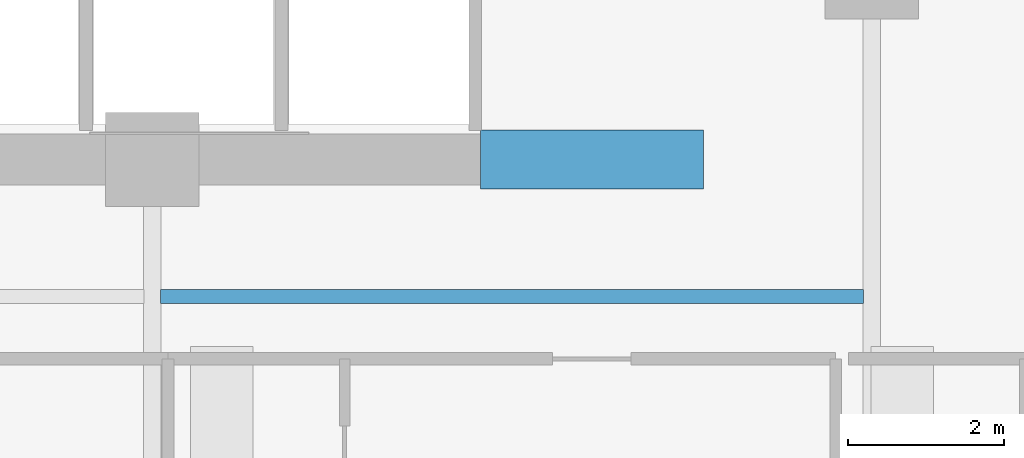
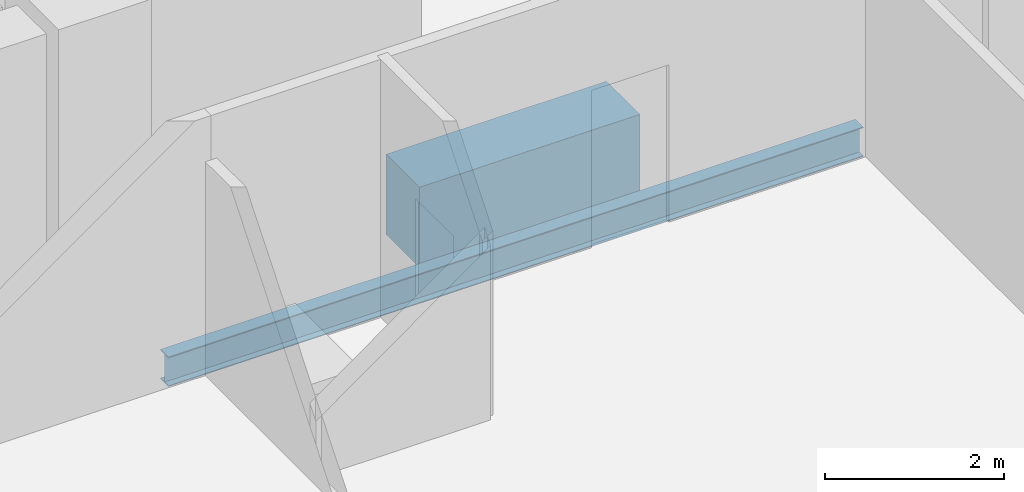
# One storey, part 11 of 32: 2 beams.
"""IFC4 building model written with IfcOpenShell, lengths in metres."""

from ifc_helpers import new_model, si_unit, direction, frame, origin, origin_2d, place, context, subcontext, project, spatial, rectangle, i_section, extrude, material, material_profile, profile_set, type_object, element, save


model = new_model("IFC4")

# Units and contexts
model_context = context("Model", 3, precision=1e-05, world=origin(), true_north=direction((0.0, 1.0)))
body_context = subcontext(model_context, "Body", "Model", "MODEL_VIEW")
ifc_project = project(units=[si_unit("LENGTHUNIT", "METRE"), si_unit("AREAUNIT", "SQUARE_METRE"), si_unit("VOLUMEUNIT", "CUBIC_METRE"), si_unit("PLANEANGLEUNIT", "RADIAN"), si_unit("MASSUNIT", "GRAM", prefix="KILO")], contexts=[model_context])

# Site, building, storey
site_placement = place(None, origin())
site = spatial("IfcSite", under=ifc_project, at=site_placement, CompositionType="ELEMENT")
building_placement = place(site_placement, origin())
building = spatial("IfcBuilding", under=site, at=building_placement, Name="Zuhayl Quay Hotel", CompositionType="ELEMENT")
storey_placement = place(building_placement, frame((0.0, 0.0, 181.14990234375)))
storey = spatial("IfcBuildingStorey", under=building, at=storey_placement, Name="L45", CompositionType="ELEMENT", Elevation=181.14990234375)

# Beams
ifc_material_1 = material(Name="Concrete C60/75", Category="concrete")
ifc_material_profile_1 = material_profile(ifc_material_1, rectangle(XDim=0.75, YDim=1.10009765625, at=origin_2d()), Name="RC750X1100")
ifc_profile_set_1 = profile_set([ifc_material_profile_1], Name="Concrete C60/75")
beam_type_1 = type_object("IfcBeamType", Name="BM_CB2_RC750", PredefinedType="T_BEAM", material=ifc_profile_set_1)
beam_1_placement = place(storey_placement, frame((8.800048828125, 2.14990234375, -0.77001953125), z_axis=(1.0, 0.0, 0.0), x_axis=(0.0, 1.0, 0.0)))
element("IfcBeam", 1, at=beam_1_placement, inside=storey, type_object=beam_type_1, Name="L45 Core Coupling Beam SE", PredefinedType="T_BEAM", context=body_context, shape_type="SweptSolid", body=[
    extrude(rectangle(XDim=0.75, YDim=1.10009765625, at=origin_2d()), origin(), (0.0, 0.0, 1.0), 2.849853515625),
])
ifc_material_2 = material(Name="Steel ASTM A992 Grade 50", Category="steel")
ifc_material_profile_2 = material_profile(ifc_material_2, i_section(OverallWidth=0.177978515625, OverallDepth=0.406005859375, WebThickness=0.0078125, FlangeThickness=0.0126953125, at=origin_2d()), Name="W16X40")
ifc_profile_set_2 = profile_set([ifc_material_profile_2], Name="Steel ASTM A992 Grade 50")
beam_type_2 = type_object("IfcBeamType", Name="BM_J2B_W16X40", PredefinedType="JOIST", material=ifc_profile_set_2)
beam_2_placement = place(storey_placement, frame((4.7060546875, 0.39990234375, -0.4228515625), z_axis=(1.0, 0.0, 0.0), x_axis=(0.0, 1.0, 0.0)))
element("IfcBeam", 2, at=beam_2_placement, inside=storey, type_object=beam_type_2, Name="L45 Floor Beam FJ_L45_8_3", PredefinedType="JOIST", context=body_context, shape_type="SweptSolid", body=[
    extrude(i_section(OverallWidth=0.177978515625, OverallDepth=0.406005859375, WebThickness=0.0078125, FlangeThickness=0.0126953125, at=origin_2d()), origin(), (0.0, 0.0, 1.0), 8.988037109375),
])

save(model, "model.ifc")
